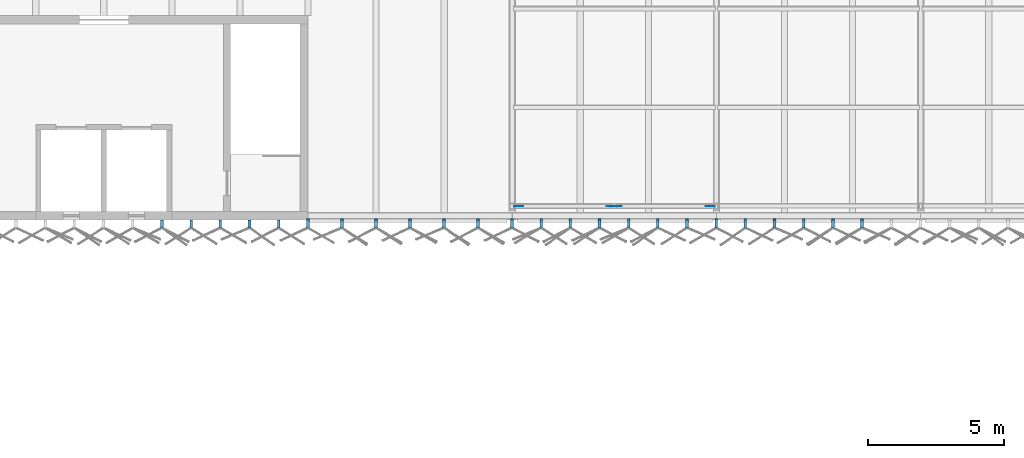
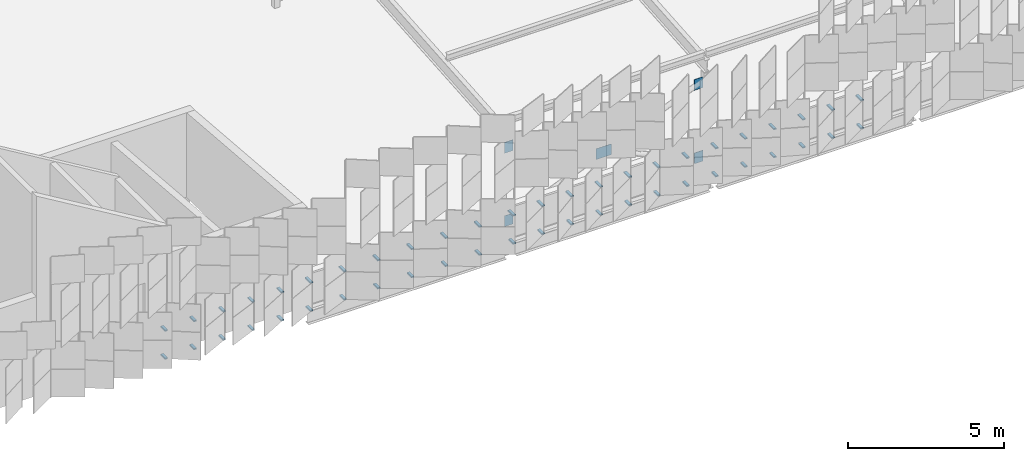
# One storey, part 437 of 483: 53 discrete accessories.
"""IFC4 building model written with IfcOpenShell, lengths in metres."""

from ifc_helpers import new_model, si_unit, direction, frame, origin, origin_2d, place, context, subcontext, project, spatial, polyline, rectangle, outline, extrude, material, layer, layer_set, type_object, element, save


model = new_model("IFC4")

# Units and contexts
model_context = context("Model", 3, precision=1e-05, world=origin(), true_north=direction((0.0, 1.0)))
body_context = subcontext(model_context, "Body", "Model", "MODEL_VIEW")
ifc_project = project(units=[si_unit("LENGTHUNIT", "METRE"), si_unit("AREAUNIT", "SQUARE_METRE"), si_unit("VOLUMEUNIT", "CUBIC_METRE"), si_unit("PLANEANGLEUNIT", "RADIAN"), si_unit("MASSUNIT", "GRAM", prefix="KILO")], contexts=[model_context])

# Site, building, storey
site_placement = place(None, origin())
site = spatial("IfcSite", under=ifc_project, at=site_placement, CompositionType="ELEMENT")
building_placement = place(site_placement, origin())
building = spatial("IfcBuilding", under=site, at=building_placement, Name="Parallax Yard Mobility Hub", CompositionType="ELEMENT")
storey_placement = place(building_placement, frame((0.0, 0.0, 13.199951171875)))
storey = spatial("IfcBuildingStorey", under=building, at=storey_placement, Name="L04", CompositionType="ELEMENT", Elevation=13.199951171875)

# Discrete accessories
ifc_material_1 = material(Name="Steel ASTM A36", Category="steel")
ifc_layer = layer(ifc_material_1, 0.011962890625)
ifc_layer_set = layer_set([ifc_layer], Name="Gusset plate PL12")
discrete_accessory_type_1 = type_object("IfcDiscreteAccessoryType", Name="Gusset plate PL12", PredefinedType="BRACKET", material=ifc_layer_set)
discrete_accessory_1_placement = place(storey_placement, frame((0.0, 0.0, 0.150146484375)))
element("IfcDiscreteAccessory", 1, at=discrete_accessory_1_placement, inside=storey, type_object=discrete_accessory_type_1, Name="Gusset plate PL12 RA bay N-B bay 1 foot on post N-B1", PredefinedType="BRACKET", context=body_context, shape_type="SweptSolid", body=[
    extrude(outline(polyline([(90.08154296875, 112.993896484375), (90.401611328125, 112.993896484375), (90.401611328125, 113.006103515625), (90.08154296875, 113.006103515625), (90.08154296875, 112.993896484375)])), origin(), (0.0, 0.0, 1.0), 0.42236328125),
])
for number, where, name in (
    (2, (0.0, 0.0, 3.017578125), "Gusset plate PL12 RA bay N-B bay 1 head on post N-B2"),
    (3, (0.0, 0.0, 0.150146484375), "Gusset plate PL12 RA bay N-B bay 1 foot on post N-B2"),
):
    element("IfcDiscreteAccessory", number, at=place(storey_placement, frame(where)), inside=storey, type_object=discrete_accessory_type_1, Name=name, PredefinedType="BRACKET", context=body_context, shape_type="SweptSolid", body=[
        extrude(outline(polyline([(97.41845703125, 113.006103515625), (97.098388671875, 113.006103515625), (97.098388671875, 112.993896484375), (97.41845703125, 112.993896484375), (97.41845703125, 113.006103515625)])), origin(), (0.0, 0.0, 1.0), 0.42236328125),
    ])
discrete_accessory_2_placement = place(storey_placement, frame((0.0, 0.0, 3.017578125)))
element("IfcDiscreteAccessory", 4, at=discrete_accessory_2_placement, inside=storey, type_object=discrete_accessory_type_1, Name="Gusset plate PL12 RA bay N-B bay 1 head on post N-B1", PredefinedType="BRACKET", context=body_context, shape_type="SweptSolid", body=[
    extrude(outline(polyline([(90.08154296875, 112.993896484375), (90.401611328125, 112.993896484375), (90.401611328125, 113.006103515625), (90.08154296875, 113.006103515625), (90.08154296875, 112.993896484375)])), origin(), (0.0, 0.0, 1.0), 0.42236328125),
])
discrete_accessory_3_placement = place(storey_placement, frame((0.0, 0.0, 1.5849609375)))
element("IfcDiscreteAccessory", 5, at=discrete_accessory_3_placement, inside=storey, type_object=discrete_accessory_type_1, Name="Gusset plate PL12 RA bay N-B bay 1 crossing node", PredefinedType="BRACKET", context=body_context, shape_type="SweptSolid", body=[
    extrude(outline(polyline([(93.469970703125, 112.993896484375), (94.030029296875, 112.993896484375), (94.030029296875, 113.006103515625), (93.469970703125, 113.006103515625), (93.469970703125, 112.993896484375)])), origin(), (0.0, 0.0, 1.0), 0.420166015625),
])
ifc_material_2 = material(Name="Steel ASTM A36, hot-dip galvanised", Category="steel")
discrete_accessory_type_2 = type_object("IfcDiscreteAccessoryType", Name="Hinge bracket plate 100x50", PredefinedType="BRACKET", material=ifc_material_2)
for number, where, z_axis, x_axis, name in (
    (6, (77.1328125, 112.3583984375, -0.02490234375), (0.0, 0.0, 1.0), (0.0, -1.0, 0.0), "Hinge bracket plate bay 6.10 level L04"),
    (7, (77.1328125, 112.3583984375, 1.06982421875), (0.0, 0.0, 1.0), (0.0, -1.0, 0.0), "Hinge bracket plate bay 6.10 level L04"),
    (8, (78.205078125, 112.3583984375, -0.02490234375), (0.0, 0.0, 1.0), (0.0, -1.0, 0.0), "Hinge bracket plate bay 6.11 level L04"),
    (9, (78.205078125, 112.3583984375, 1.06982421875), (0.0, 0.0, 1.0), (0.0, -1.0, 0.0), "Hinge bracket plate bay 6.11 level L04"),
    (10, (79.277099609375, 112.3583984375, -0.02490234375), (0.0, 0.0, 1.0), (0.0, -1.0, 0.0), "Hinge bracket plate bay 6.12 level L04"),
    (11, (79.277099609375, 112.3583984375, 1.06982421875), (0.0, 0.0, 1.0), (0.0, -1.0, 0.0), "Hinge bracket plate bay 6.12 level L04"),
    (12, (80.349365234375, 112.3583984375, -0.02490234375), (0.0, 0.0, 1.0), (0.0, -1.0, 0.0), "Hinge bracket plate bay 6.13 level L04"),
    (13, (80.349365234375, 112.3583984375, 1.06982421875), (0.0, 0.0, 1.0), (0.0, -1.0, 0.0), "Hinge bracket plate bay 6.13 level L04"),
    (14, (81.421630859375, 112.3583984375, -0.02490234375), (0.0, 0.0, 1.0), (0.0, -1.0, 0.0), "Hinge bracket plate bay 6.14 level L04"),
    (15, (81.421630859375, 112.3583984375, 1.06982421875), (0.0, 0.0, 1.0), (0.0, -1.0, 0.0), "Hinge bracket plate bay 6.14 level L04"),
    (16, (82.493896484375, 112.3583984375, -0.02490234375), (0.0, 0.0, 1.0), (0.0, -1.0, 0.0), "Hinge bracket plate bay 7.1 level L04"),
):
    element("IfcDiscreteAccessory", number, at=place(storey_placement, frame(where, z_axis=z_axis, x_axis=x_axis)), inside=storey, type_object=discrete_accessory_type_2, Name=name, PredefinedType="BRACKET", context=body_context, shape_type="SweptSolid", body=[
        extrude(rectangle(XDim=0.2841796875, YDim=0.10009765625, at=origin_2d()), origin(), (0.0, 0.0, 1.0), 0.050048828125),
    ])
discrete_accessory_4_placement = place(storey_placement, frame((82.493896484375, 112.38134765625, 1.06982421875), z_axis=(0.0, 0.0, 1.0), x_axis=(0.0, -1.0, 0.0)))
element("IfcDiscreteAccessory", 17, at=discrete_accessory_4_placement, inside=storey, type_object=discrete_accessory_type_2, Name="Hinge bracket plate bay 7.1 level L04", PredefinedType="BRACKET", context=body_context, shape_type="SweptSolid", body=[
    extrude(rectangle(XDim=0.330078125, YDim=0.10009765625, at=origin_2d()), origin(), (0.0, 0.0, 1.0), 0.050048828125),
])
discrete_accessory_5_placement = place(storey_placement, frame((83.7431640625, 112.3583984375, -0.02490234375), z_axis=(0.0, 0.0, 1.0), x_axis=(0.0, -1.0, 0.0)))
element("IfcDiscreteAccessory", 18, at=discrete_accessory_5_placement, inside=storey, type_object=discrete_accessory_type_2, Name="Hinge bracket plate bay 7.2 level L04", PredefinedType="BRACKET", context=body_context, shape_type="SweptSolid", body=[
    extrude(rectangle(XDim=0.2841796875, YDim=0.10009765625, at=origin_2d()), origin(), (0.0, 0.0, 1.0), 0.050048828125),
])
discrete_accessory_6_placement = place(storey_placement, frame((83.7431640625, 112.38134765625, 1.06982421875), z_axis=(0.0, 0.0, 1.0), x_axis=(0.0, -1.0, 0.0)))
element("IfcDiscreteAccessory", 19, at=discrete_accessory_6_placement, inside=storey, type_object=discrete_accessory_type_2, Name="Hinge bracket plate bay 7.2 level L04", PredefinedType="BRACKET", context=body_context, shape_type="SweptSolid", body=[
    extrude(rectangle(XDim=0.330078125, YDim=0.10009765625, at=origin_2d()), origin(), (0.0, 0.0, 1.0), 0.050048828125),
])
discrete_accessory_7_placement = place(storey_placement, frame((84.992431640625, 112.3583984375, -0.02490234375), z_axis=(0.0, 0.0, 1.0), x_axis=(0.0, -1.0, 0.0)))
element("IfcDiscreteAccessory", 20, at=discrete_accessory_7_placement, inside=storey, type_object=discrete_accessory_type_2, Name="Hinge bracket plate bay 7.3 level L04", PredefinedType="BRACKET", context=body_context, shape_type="SweptSolid", body=[
    extrude(rectangle(XDim=0.2841796875, YDim=0.10009765625, at=origin_2d()), origin(), (0.0, 0.0, 1.0), 0.050048828125),
])
discrete_accessory_8_placement = place(storey_placement, frame((84.992431640625, 112.38134765625, 1.06982421875), z_axis=(0.0, 0.0, 1.0), x_axis=(0.0, -1.0, 0.0)))
element("IfcDiscreteAccessory", 21, at=discrete_accessory_8_placement, inside=storey, type_object=discrete_accessory_type_2, Name="Hinge bracket plate bay 7.3 level L04", PredefinedType="BRACKET", context=body_context, shape_type="SweptSolid", body=[
    extrude(rectangle(XDim=0.330078125, YDim=0.10009765625, at=origin_2d()), origin(), (0.0, 0.0, 1.0), 0.050048828125),
])
discrete_accessory_9_placement = place(storey_placement, frame((86.24169921875, 112.3583984375, -0.02490234375), z_axis=(0.0, 0.0, 1.0), x_axis=(0.0, -1.0, 0.0)))
element("IfcDiscreteAccessory", 22, at=discrete_accessory_9_placement, inside=storey, type_object=discrete_accessory_type_2, Name="Hinge bracket plate bay 7.4 level L04", PredefinedType="BRACKET", context=body_context, shape_type="SweptSolid", body=[
    extrude(rectangle(XDim=0.2841796875, YDim=0.10009765625, at=origin_2d()), origin(), (0.0, 0.0, 1.0), 0.050048828125),
])
discrete_accessory_10_placement = place(storey_placement, frame((86.24169921875, 112.38134765625, 1.06982421875), z_axis=(0.0, 0.0, 1.0), x_axis=(0.0, -1.0, 0.0)))
element("IfcDiscreteAccessory", 23, at=discrete_accessory_10_placement, inside=storey, type_object=discrete_accessory_type_2, Name="Hinge bracket plate bay 7.4 level L04", PredefinedType="BRACKET", context=body_context, shape_type="SweptSolid", body=[
    extrude(rectangle(XDim=0.330078125, YDim=0.10009765625, at=origin_2d()), origin(), (0.0, 0.0, 1.0), 0.050048828125),
])
discrete_accessory_11_placement = place(storey_placement, frame((87.490966796875, 112.3583984375, -0.02490234375), z_axis=(0.0, 0.0, 1.0), x_axis=(0.0, -1.0, 0.0)))
element("IfcDiscreteAccessory", 24, at=discrete_accessory_11_placement, inside=storey, type_object=discrete_accessory_type_2, Name="Hinge bracket plate bay 7.5 level L04", PredefinedType="BRACKET", context=body_context, shape_type="SweptSolid", body=[
    extrude(rectangle(XDim=0.2841796875, YDim=0.10009765625, at=origin_2d()), origin(), (0.0, 0.0, 1.0), 0.050048828125),
])
discrete_accessory_12_placement = place(storey_placement, frame((87.490966796875, 112.38134765625, 1.06982421875), z_axis=(0.0, 0.0, 1.0), x_axis=(0.0, -1.0, 0.0)))
element("IfcDiscreteAccessory", 25, at=discrete_accessory_12_placement, inside=storey, type_object=discrete_accessory_type_2, Name="Hinge bracket plate bay 7.5 level L04", PredefinedType="BRACKET", context=body_context, shape_type="SweptSolid", body=[
    extrude(rectangle(XDim=0.330078125, YDim=0.10009765625, at=origin_2d()), origin(), (0.0, 0.0, 1.0), 0.050048828125),
])
discrete_accessory_13_placement = place(storey_placement, frame((88.739990234375, 112.3583984375, -0.02490234375), z_axis=(0.0, 0.0, 1.0), x_axis=(0.0, -1.0, 0.0)))
element("IfcDiscreteAccessory", 26, at=discrete_accessory_13_placement, inside=storey, type_object=discrete_accessory_type_2, Name="Hinge bracket plate bay 7.6 level L04", PredefinedType="BRACKET", context=body_context, shape_type="SweptSolid", body=[
    extrude(rectangle(XDim=0.2841796875, YDim=0.10009765625, at=origin_2d()), origin(), (0.0, 0.0, 1.0), 0.050048828125),
])
discrete_accessory_14_placement = place(storey_placement, frame((88.739990234375, 112.38134765625, 1.06982421875), z_axis=(0.0, 0.0, 1.0), x_axis=(0.0, -1.0, 0.0)))
element("IfcDiscreteAccessory", 27, at=discrete_accessory_14_placement, inside=storey, type_object=discrete_accessory_type_2, Name="Hinge bracket plate bay 7.6 level L04", PredefinedType="BRACKET", context=body_context, shape_type="SweptSolid", body=[
    extrude(rectangle(XDim=0.330078125, YDim=0.10009765625, at=origin_2d()), origin(), (0.0, 0.0, 1.0), 0.050048828125),
])
discrete_accessory_15_placement = place(storey_placement, frame((89.989501953125, 112.3583984375, -0.02490234375), z_axis=(0.0, 0.0, 1.0), x_axis=(0.0, -1.0, 0.0)))
element("IfcDiscreteAccessory", 28, at=discrete_accessory_15_placement, inside=storey, type_object=discrete_accessory_type_2, Name="Hinge bracket plate bay 8.1 level L04", PredefinedType="BRACKET", context=body_context, shape_type="SweptSolid", body=[
    extrude(rectangle(XDim=0.2841796875, YDim=0.10009765625, at=origin_2d()), origin(), (0.0, 0.0, 1.0), 0.050048828125),
])
discrete_accessory_16_placement = place(storey_placement, frame((89.989501953125, 112.38134765625, 1.06982421875), z_axis=(0.0, 0.0, 1.0), x_axis=(0.0, -1.0, 0.0)))
element("IfcDiscreteAccessory", 29, at=discrete_accessory_16_placement, inside=storey, type_object=discrete_accessory_type_2, Name="Hinge bracket plate bay 8.1 level L04", PredefinedType="BRACKET", context=body_context, shape_type="SweptSolid", body=[
    extrude(rectangle(XDim=0.330078125, YDim=0.10009765625, at=origin_2d()), origin(), (0.0, 0.0, 1.0), 0.050048828125),
])
discrete_accessory_17_placement = place(storey_placement, frame((91.060791015625, 112.3583984375, -0.02490234375), z_axis=(0.0, 0.0, 1.0), x_axis=(0.0, -1.0, 0.0)))
element("IfcDiscreteAccessory", 30, at=discrete_accessory_17_placement, inside=storey, type_object=discrete_accessory_type_2, Name="Hinge bracket plate bay 8.2 level L04", PredefinedType="BRACKET", context=body_context, shape_type="SweptSolid", body=[
    extrude(rectangle(XDim=0.2841796875, YDim=0.10009765625, at=origin_2d()), origin(), (0.0, 0.0, 1.0), 0.050048828125),
])
discrete_accessory_18_placement = place(storey_placement, frame((91.060791015625, 112.38134765625, 1.06982421875), z_axis=(0.0, 0.0, 1.0), x_axis=(0.0, -1.0, 0.0)))
element("IfcDiscreteAccessory", 31, at=discrete_accessory_18_placement, inside=storey, type_object=discrete_accessory_type_2, Name="Hinge bracket plate bay 8.2 level L04", PredefinedType="BRACKET", context=body_context, shape_type="SweptSolid", body=[
    extrude(rectangle(XDim=0.330078125, YDim=0.10009765625, at=origin_2d()), origin(), (0.0, 0.0, 1.0), 0.050048828125),
])
discrete_accessory_19_placement = place(storey_placement, frame((92.13232421875, 112.3583984375, -0.02490234375), z_axis=(0.0, 0.0, 1.0), x_axis=(0.0, -1.0, 0.0)))
element("IfcDiscreteAccessory", 32, at=discrete_accessory_19_placement, inside=storey, type_object=discrete_accessory_type_2, Name="Hinge bracket plate bay 8.3 level L04", PredefinedType="BRACKET", context=body_context, shape_type="SweptSolid", body=[
    extrude(rectangle(XDim=0.2841796875, YDim=0.10009765625, at=origin_2d()), origin(), (0.0, 0.0, 1.0), 0.050048828125),
])
discrete_accessory_20_placement = place(storey_placement, frame((92.13232421875, 112.38134765625, 1.06982421875), z_axis=(0.0, 0.0, 1.0), x_axis=(0.0, -1.0, 0.0)))
element("IfcDiscreteAccessory", 33, at=discrete_accessory_20_placement, inside=storey, type_object=discrete_accessory_type_2, Name="Hinge bracket plate bay 8.3 level L04", PredefinedType="BRACKET", context=body_context, shape_type="SweptSolid", body=[
    extrude(rectangle(XDim=0.330078125, YDim=0.10009765625, at=origin_2d()), origin(), (0.0, 0.0, 1.0), 0.050048828125),
])
discrete_accessory_21_placement = place(storey_placement, frame((93.203857421875, 112.3583984375, -0.02490234375), z_axis=(0.0, 0.0, 1.0), x_axis=(0.0, -1.0, 0.0)))
element("IfcDiscreteAccessory", 34, at=discrete_accessory_21_placement, inside=storey, type_object=discrete_accessory_type_2, Name="Hinge bracket plate bay 8.4 level L04", PredefinedType="BRACKET", context=body_context, shape_type="SweptSolid", body=[
    extrude(rectangle(XDim=0.2841796875, YDim=0.10009765625, at=origin_2d()), origin(), (0.0, 0.0, 1.0), 0.050048828125),
])
discrete_accessory_22_placement = place(storey_placement, frame((93.203857421875, 112.38134765625, 1.06982421875), z_axis=(0.0, 0.0, 1.0), x_axis=(0.0, -1.0, 0.0)))
element("IfcDiscreteAccessory", 35, at=discrete_accessory_22_placement, inside=storey, type_object=discrete_accessory_type_2, Name="Hinge bracket plate bay 8.4 level L04", PredefinedType="BRACKET", context=body_context, shape_type="SweptSolid", body=[
    extrude(rectangle(XDim=0.330078125, YDim=0.10009765625, at=origin_2d()), origin(), (0.0, 0.0, 1.0), 0.050048828125),
])
discrete_accessory_23_placement = place(storey_placement, frame((94.275390625, 112.3583984375, -0.02490234375), z_axis=(0.0, 0.0, 1.0), x_axis=(0.0, -1.0, 0.0)))
element("IfcDiscreteAccessory", 36, at=discrete_accessory_23_placement, inside=storey, type_object=discrete_accessory_type_2, Name="Hinge bracket plate bay 8.5 level L04", PredefinedType="BRACKET", context=body_context, shape_type="SweptSolid", body=[
    extrude(rectangle(XDim=0.2841796875, YDim=0.10009765625, at=origin_2d()), origin(), (0.0, 0.0, 1.0), 0.050048828125),
])
discrete_accessory_24_placement = place(storey_placement, frame((94.275390625, 112.38134765625, 1.06982421875), z_axis=(0.0, 0.0, 1.0), x_axis=(0.0, -1.0, 0.0)))
element("IfcDiscreteAccessory", 37, at=discrete_accessory_24_placement, inside=storey, type_object=discrete_accessory_type_2, Name="Hinge bracket plate bay 8.5 level L04", PredefinedType="BRACKET", context=body_context, shape_type="SweptSolid", body=[
    extrude(rectangle(XDim=0.330078125, YDim=0.10009765625, at=origin_2d()), origin(), (0.0, 0.0, 1.0), 0.050048828125),
])
discrete_accessory_25_placement = place(storey_placement, frame((95.346923828125, 112.3583984375, -0.02490234375), z_axis=(0.0, 0.0, 1.0), x_axis=(0.0, -1.0, 0.0)))
element("IfcDiscreteAccessory", 38, at=discrete_accessory_25_placement, inside=storey, type_object=discrete_accessory_type_2, Name="Hinge bracket plate bay 8.6 level L04", PredefinedType="BRACKET", context=body_context, shape_type="SweptSolid", body=[
    extrude(rectangle(XDim=0.2841796875, YDim=0.10009765625, at=origin_2d()), origin(), (0.0, 0.0, 1.0), 0.050048828125),
])
discrete_accessory_26_placement = place(storey_placement, frame((95.346923828125, 112.38134765625, 1.06982421875), z_axis=(0.0, 0.0, 1.0), x_axis=(0.0, -1.0, 0.0)))
element("IfcDiscreteAccessory", 39, at=discrete_accessory_26_placement, inside=storey, type_object=discrete_accessory_type_2, Name="Hinge bracket plate bay 8.6 level L04", PredefinedType="BRACKET", context=body_context, shape_type="SweptSolid", body=[
    extrude(rectangle(XDim=0.330078125, YDim=0.10009765625, at=origin_2d()), origin(), (0.0, 0.0, 1.0), 0.050048828125),
])
discrete_accessory_27_placement = place(storey_placement, frame((96.41845703125, 112.3583984375, -0.02490234375), z_axis=(0.0, 0.0, 1.0), x_axis=(0.0, -1.0, 0.0)))
element("IfcDiscreteAccessory", 40, at=discrete_accessory_27_placement, inside=storey, type_object=discrete_accessory_type_2, Name="Hinge bracket plate bay 8.7 level L04", PredefinedType="BRACKET", context=body_context, shape_type="SweptSolid", body=[
    extrude(rectangle(XDim=0.2841796875, YDim=0.10009765625, at=origin_2d()), origin(), (0.0, 0.0, 1.0), 0.050048828125),
])
discrete_accessory_28_placement = place(storey_placement, frame((96.41845703125, 112.38134765625, 1.06982421875), z_axis=(0.0, 0.0, 1.0), x_axis=(0.0, -1.0, 0.0)))
element("IfcDiscreteAccessory", 41, at=discrete_accessory_28_placement, inside=storey, type_object=discrete_accessory_type_2, Name="Hinge bracket plate bay 8.7 level L04", PredefinedType="BRACKET", context=body_context, shape_type="SweptSolid", body=[
    extrude(rectangle(XDim=0.330078125, YDim=0.10009765625, at=origin_2d()), origin(), (0.0, 0.0, 1.0), 0.050048828125),
])
discrete_accessory_29_placement = place(storey_placement, frame((97.489990234375, 112.3583984375, -0.02490234375), z_axis=(0.0, 0.0, 1.0), x_axis=(0.0, -1.0, 0.0)))
element("IfcDiscreteAccessory", 42, at=discrete_accessory_29_placement, inside=storey, type_object=discrete_accessory_type_2, Name="Hinge bracket plate bay 9.1 level L04", PredefinedType="BRACKET", context=body_context, shape_type="SweptSolid", body=[
    extrude(rectangle(XDim=0.2841796875, YDim=0.10009765625, at=origin_2d()), origin(), (0.0, 0.0, 1.0), 0.050048828125),
])
discrete_accessory_30_placement = place(storey_placement, frame((97.489990234375, 112.38134765625, 1.06982421875), z_axis=(0.0, 0.0, 1.0), x_axis=(0.0, -1.0, 0.0)))
element("IfcDiscreteAccessory", 43, at=discrete_accessory_30_placement, inside=storey, type_object=discrete_accessory_type_2, Name="Hinge bracket plate bay 9.1 level L04", PredefinedType="BRACKET", context=body_context, shape_type="SweptSolid", body=[
    extrude(rectangle(XDim=0.330078125, YDim=0.10009765625, at=origin_2d()), origin(), (0.0, 0.0, 1.0), 0.050048828125),
])
discrete_accessory_31_placement = place(storey_placement, frame((98.561279296875, 112.3583984375, -0.02490234375), z_axis=(0.0, 0.0, 1.0), x_axis=(0.0, -1.0, 0.0)))
element("IfcDiscreteAccessory", 44, at=discrete_accessory_31_placement, inside=storey, type_object=discrete_accessory_type_2, Name="Hinge bracket plate bay 9.2 level L04", PredefinedType="BRACKET", context=body_context, shape_type="SweptSolid", body=[
    extrude(rectangle(XDim=0.2841796875, YDim=0.10009765625, at=origin_2d()), origin(), (0.0, 0.0, 1.0), 0.050048828125),
])
discrete_accessory_32_placement = place(storey_placement, frame((98.561279296875, 112.38134765625, 1.06982421875), z_axis=(0.0, 0.0, 1.0), x_axis=(0.0, -1.0, 0.0)))
element("IfcDiscreteAccessory", 45, at=discrete_accessory_32_placement, inside=storey, type_object=discrete_accessory_type_2, Name="Hinge bracket plate bay 9.2 level L04", PredefinedType="BRACKET", context=body_context, shape_type="SweptSolid", body=[
    extrude(rectangle(XDim=0.330078125, YDim=0.10009765625, at=origin_2d()), origin(), (0.0, 0.0, 1.0), 0.050048828125),
])
discrete_accessory_33_placement = place(storey_placement, frame((99.6328125, 112.3583984375, -0.02490234375), z_axis=(0.0, 0.0, 1.0), x_axis=(0.0, -1.0, 0.0)))
element("IfcDiscreteAccessory", 46, at=discrete_accessory_33_placement, inside=storey, type_object=discrete_accessory_type_2, Name="Hinge bracket plate bay 9.3 level L04", PredefinedType="BRACKET", context=body_context, shape_type="SweptSolid", body=[
    extrude(rectangle(XDim=0.2841796875, YDim=0.10009765625, at=origin_2d()), origin(), (0.0, 0.0, 1.0), 0.050048828125),
])
discrete_accessory_34_placement = place(storey_placement, frame((99.6328125, 112.38134765625, 1.06982421875), z_axis=(0.0, 0.0, 1.0), x_axis=(0.0, -1.0, 0.0)))
element("IfcDiscreteAccessory", 47, at=discrete_accessory_34_placement, inside=storey, type_object=discrete_accessory_type_2, Name="Hinge bracket plate bay 9.3 level L04", PredefinedType="BRACKET", context=body_context, shape_type="SweptSolid", body=[
    extrude(rectangle(XDim=0.330078125, YDim=0.10009765625, at=origin_2d()), origin(), (0.0, 0.0, 1.0), 0.050048828125),
])
discrete_accessory_35_placement = place(storey_placement, frame((100.704345703125, 112.3583984375, -0.02490234375), z_axis=(0.0, 0.0, 1.0), x_axis=(0.0, -1.0, 0.0)))
element("IfcDiscreteAccessory", 48, at=discrete_accessory_35_placement, inside=storey, type_object=discrete_accessory_type_2, Name="Hinge bracket plate bay 9.4 level L04", PredefinedType="BRACKET", context=body_context, shape_type="SweptSolid", body=[
    extrude(rectangle(XDim=0.2841796875, YDim=0.10009765625, at=origin_2d()), origin(), (0.0, 0.0, 1.0), 0.050048828125),
])
discrete_accessory_36_placement = place(storey_placement, frame((100.704345703125, 112.38134765625, 1.06982421875), z_axis=(0.0, 0.0, 1.0), x_axis=(0.0, -1.0, 0.0)))
element("IfcDiscreteAccessory", 49, at=discrete_accessory_36_placement, inside=storey, type_object=discrete_accessory_type_2, Name="Hinge bracket plate bay 9.4 level L04", PredefinedType="BRACKET", context=body_context, shape_type="SweptSolid", body=[
    extrude(rectangle(XDim=0.330078125, YDim=0.10009765625, at=origin_2d()), origin(), (0.0, 0.0, 1.0), 0.050048828125),
])
discrete_accessory_37_placement = place(storey_placement, frame((101.77587890625, 112.3583984375, -0.02490234375), z_axis=(0.0, 0.0, 1.0), x_axis=(0.0, -1.0, 0.0)))
element("IfcDiscreteAccessory", 50, at=discrete_accessory_37_placement, inside=storey, type_object=discrete_accessory_type_2, Name="Hinge bracket plate bay 9.5 level L04", PredefinedType="BRACKET", context=body_context, shape_type="SweptSolid", body=[
    extrude(rectangle(XDim=0.2841796875, YDim=0.10009765625, at=origin_2d()), origin(), (0.0, 0.0, 1.0), 0.050048828125),
])
discrete_accessory_38_placement = place(storey_placement, frame((101.77587890625, 112.38134765625, 1.06982421875), z_axis=(0.0, 0.0, 1.0), x_axis=(0.0, -1.0, 0.0)))
element("IfcDiscreteAccessory", 51, at=discrete_accessory_38_placement, inside=storey, type_object=discrete_accessory_type_2, Name="Hinge bracket plate bay 9.5 level L04", PredefinedType="BRACKET", context=body_context, shape_type="SweptSolid", body=[
    extrude(rectangle(XDim=0.330078125, YDim=0.10009765625, at=origin_2d()), origin(), (0.0, 0.0, 1.0), 0.050048828125),
])
discrete_accessory_39_placement = place(storey_placement, frame((102.847412109375, 112.3583984375, -0.02490234375), z_axis=(0.0, 0.0, 1.0), x_axis=(0.0, -1.0, 0.0)))
element("IfcDiscreteAccessory", 52, at=discrete_accessory_39_placement, inside=storey, type_object=discrete_accessory_type_2, Name="Hinge bracket plate bay 9.6 level L04", PredefinedType="BRACKET", context=body_context, shape_type="SweptSolid", body=[
    extrude(rectangle(XDim=0.2841796875, YDim=0.10009765625, at=origin_2d()), origin(), (0.0, 0.0, 1.0), 0.050048828125),
])
discrete_accessory_40_placement = place(storey_placement, frame((102.847412109375, 112.38134765625, 1.06982421875), z_axis=(0.0, 0.0, 1.0), x_axis=(0.0, -1.0, 0.0)))
element("IfcDiscreteAccessory", 53, at=discrete_accessory_40_placement, inside=storey, type_object=discrete_accessory_type_2, Name="Hinge bracket plate bay 9.6 level L04", PredefinedType="BRACKET", context=body_context, shape_type="SweptSolid", body=[
    extrude(rectangle(XDim=0.330078125, YDim=0.10009765625, at=origin_2d()), origin(), (0.0, 0.0, 1.0), 0.050048828125),
])

save(model, "model.ifc")
